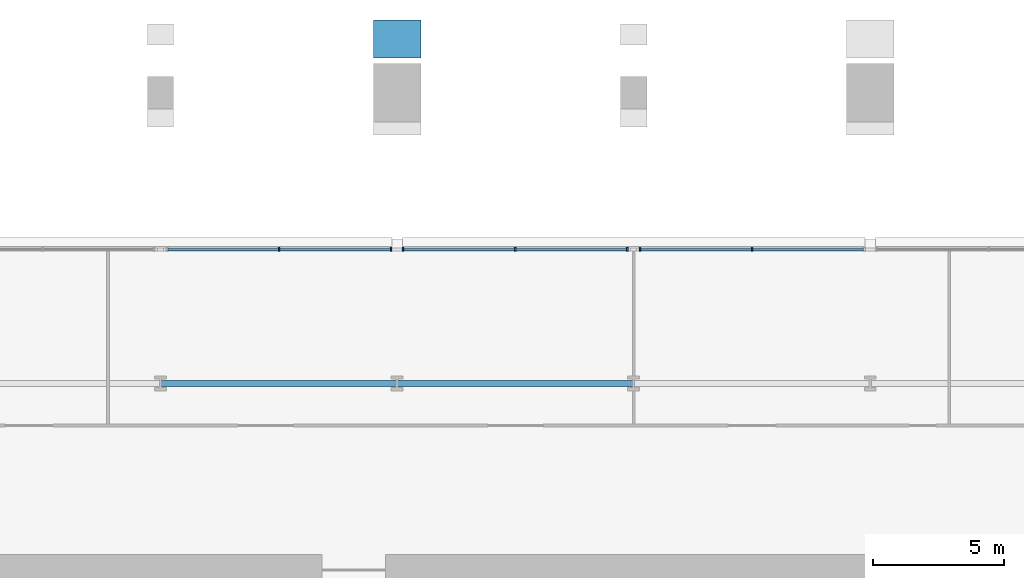
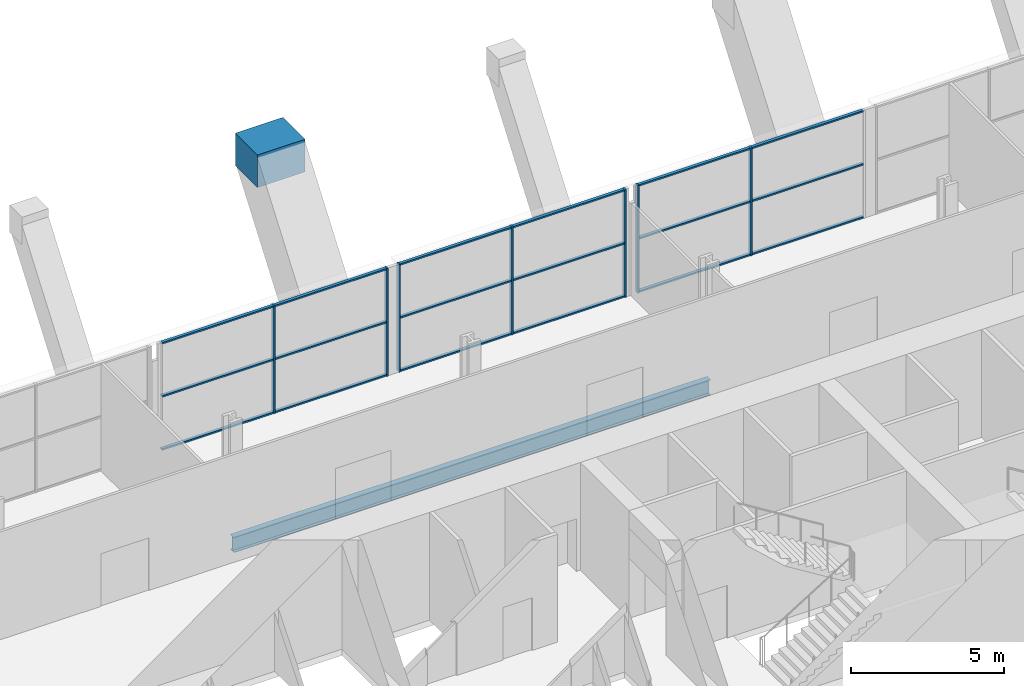
# One storey, part 9 of 24: 25 members, 2 beams, 3 elements without a shape of their own.
"""IFC4 building model written with IfcOpenShell, lengths in metres."""

from ifc_helpers import new_model, si_unit, direction, frame, origin, origin_2d, place, context, subcontext, project, spatial, rectangle, i_section, extrude, material, material_profile, profile_set, type_object, element, aggregate, save


model = new_model("IFC4")

# Units and contexts
model_context = context("Model", 3, precision=1e-05, world=origin(), true_north=direction((0.0, 1.0)))
body_context = subcontext(model_context, "Body", "Model", "MODEL_VIEW")
ifc_project = project(units=[si_unit("LENGTHUNIT", "METRE"), si_unit("AREAUNIT", "SQUARE_METRE"), si_unit("VOLUMEUNIT", "CUBIC_METRE"), si_unit("PLANEANGLEUNIT", "RADIAN"), si_unit("MASSUNIT", "GRAM", prefix="KILO")], contexts=[model_context])

# Site, building, storey
site_placement = place(None, origin())
site = spatial("IfcSite", under=ifc_project, at=site_placement, CompositionType="ELEMENT")
building_placement = place(site_placement, origin())
building = spatial("IfcBuilding", under=site, at=building_placement, Name="Zellij Exchange Tower", CompositionType="ELEMENT")
storey_placement = place(building_placement, frame((0.0, 0.0, 48.0)))
storey = spatial("IfcBuildingStorey", under=building, at=storey_placement, Name="L08", CompositionType="ELEMENT", Elevation=48.0)

# Curtain wall, members
ifc_material_1 = material(Name="Aluminium frame, clear insulating glass", Category="aluminium")
curtain_wall_type = type_object("IfcCurtainWallType", Name="ENV-CW1 Sky-garden glazing", PredefinedType="NOTDEFINED", material=ifc_material_1)
curtain_wall_1_placement = place(storey_placement, origin())
curtain_wall_1 = element("IfcCurtainWall", 1, at=curtain_wall_1_placement, inside=storey, type_object=curtain_wall_type, Name="cw.L08.14b.a", PredefinedType="NOTDEFINED")
ifc_material_2 = material(Name="Aluminium", Category="aluminium")
ifc_material_profile_1 = material_profile(ifc_material_2, rectangle(XDim=0.06005859375, YDim=0.159912109375, at=origin_2d()), Name="AL 60x160")
ifc_profile_set_1 = profile_set([ifc_material_profile_1], Name="Aluminium")
member_type_1 = type_object("IfcMemberType", Name="ENV-CW1M Mullion 60x160", PredefinedType="MULLION", material=ifc_profile_set_1)
member_1_placement = place(storey_placement, frame((4.50732421875, 9.60009765625, 0.0), z_axis=(0.0, 0.0, 1.0), x_axis=(-1.0, 0.0, 0.0)))
member_1 = element("IfcMember", 2, at=member_1_placement, type_object=member_type_1, Name="CW1 mullion 2", PredefinedType="MULLION", context=body_context, shape_type="SweptSolid", body=[
    extrude(rectangle(XDim=0.06005859375, YDim=0.159912109375, at=origin_2d()), origin(), (0.0, 0.0, 1.0), 4.300048828125),
])
member_2_placement = place(storey_placement, frame((0.24462890625, 9.60009765625, 0.0), z_axis=(0.0, 0.0, 1.0), x_axis=(-1.0, 0.0, 0.0)))
member_2 = element("IfcMember", 3, at=member_2_placement, type_object=member_type_1, Name="CW1 mullion 3", PredefinedType="MULLION", context=body_context, shape_type="SweptSolid", body=[
    extrude(rectangle(XDim=0.06005859375, YDim=0.159912109375, at=origin_2d()), origin(), (0.0, 0.0, 1.0), 4.300048828125),
])

curtain_wall_2_placement = place(storey_placement, origin())
curtain_wall_2 = element("IfcCurtainWall", 4, at=curtain_wall_2_placement, inside=storey, type_object=curtain_wall_type, Name="cw.L08.14b.b", PredefinedType="NOTDEFINED")
member_3_placement = place(storey_placement, frame((-0.24462890625, 9.60009765625, 0.0), z_axis=(0.0, 0.0, 1.0), x_axis=(-1.0, 0.0, 0.0)))
member_3 = element("IfcMember", 5, at=member_3_placement, type_object=member_type_1, Name="CW1 mullion 1", PredefinedType="MULLION", context=body_context, shape_type="SweptSolid", body=[
    extrude(rectangle(XDim=0.06005859375, YDim=0.159912109375, at=origin_2d()), origin(), (0.0, 0.0, 1.0), 4.300048828125),
])
member_4_placement = place(storey_placement, frame((-4.50732421875, 9.60009765625, 0.0), z_axis=(0.0, 0.0, 1.0), x_axis=(-1.0, 0.0, 0.0)))
member_4 = element("IfcMember", 6, at=member_4_placement, type_object=member_type_1, Name="CW1 mullion 2", PredefinedType="MULLION", context=body_context, shape_type="SweptSolid", body=[
    extrude(rectangle(XDim=0.06005859375, YDim=0.159912109375, at=origin_2d()), origin(), (0.0, 0.0, 1.0), 4.300048828125),
])
member_5_placement = place(storey_placement, frame((-8.77001953125, 9.60009765625, 0.0), z_axis=(0.0, 0.0, 1.0), x_axis=(-1.0, 0.0, 0.0)))
member_5 = element("IfcMember", 7, at=member_5_placement, type_object=member_type_1, Name="CW1 mullion 3", PredefinedType="MULLION", context=body_context, shape_type="SweptSolid", body=[
    extrude(rectangle(XDim=0.06005859375, YDim=0.159912109375, at=origin_2d()), origin(), (0.0, 0.0, 1.0), 4.300048828125),
])

curtain_wall_3_placement = place(storey_placement, origin())
curtain_wall_3 = element("IfcCurtainWall", 8, at=curtain_wall_3_placement, inside=storey, type_object=curtain_wall_type, Name="cw.L08.14c.a", PredefinedType="NOTDEFINED")
member_6_placement = place(storey_placement, frame((-9.22998046875, 9.60009765625, 0.0), z_axis=(0.0, 0.0, 1.0), x_axis=(-1.0, 0.0, 0.0)))
member_6 = element("IfcMember", 9, at=member_6_placement, type_object=member_type_1, Name="CW1 mullion 1", PredefinedType="MULLION", context=body_context, shape_type="SweptSolid", body=[
    extrude(rectangle(XDim=0.06005859375, YDim=0.159912109375, at=origin_2d()), origin(), (0.0, 0.0, 1.0), 4.300048828125),
])
member_7_placement = place(storey_placement, frame((-13.49267578125, 9.60009765625, 0.0), z_axis=(0.0, 0.0, 1.0), x_axis=(-1.0, 0.0, 0.0)))
member_7 = element("IfcMember", 10, at=member_7_placement, type_object=member_type_1, Name="CW1 mullion 2", PredefinedType="MULLION", context=body_context, shape_type="SweptSolid", body=[
    extrude(rectangle(XDim=0.06005859375, YDim=0.159912109375, at=origin_2d()), origin(), (0.0, 0.0, 1.0), 4.300048828125),
])

# Member
ifc_material_profile_2 = material_profile(ifc_material_2, rectangle(XDim=0.1201171875, YDim=0.06005859375, at=origin_2d()), Name="AL 120x60")
ifc_profile_set_2 = profile_set([ifc_material_profile_2], Name="Aluminium")
member_type_2 = type_object("IfcMemberType", Name="ENV-CW1T Transom 120x60", PredefinedType="USERDEFINED", material=ifc_profile_set_2)
member_8_placement = place(storey_placement, frame((8.739990234375, 9.60009765625, 0.030029296875), z_axis=(-1.0, 0.0, 0.0), x_axis=(0.0, -1.0, 0.0)))
member_8 = element("IfcMember", 11, at=member_8_placement, type_object=member_type_2, Name="CW1 transom 1.1", ObjectType="TRANSOM", PredefinedType="USERDEFINED", context=body_context, shape_type="SweptSolid", body=[
    extrude(rectangle(XDim=0.1201171875, YDim=0.06005859375, at=origin_2d()), origin(), (0.0, 0.0, 1.0), 4.20263671875),
])

member_9_placement = place(storey_placement, frame((8.739990234375, 9.60009765625, 2.14990234375), z_axis=(-1.0, 0.0, 0.0), x_axis=(0.0, -1.0, 0.0)))
member_9 = element("IfcMember", 12, at=member_9_placement, type_object=member_type_2, Name="CW1 transom 1.2", ObjectType="TRANSOM", PredefinedType="USERDEFINED", context=body_context, shape_type="SweptSolid", body=[
    extrude(rectangle(XDim=0.1201171875, YDim=0.06005859375, at=origin_2d()), origin(), (0.0, 0.0, 1.0), 4.20263671875),
])

member_10_placement = place(storey_placement, frame((8.739990234375, 9.60009765625, 4.27001953125), z_axis=(-1.0, 0.0, 0.0), x_axis=(0.0, -1.0, 0.0)))
member_10 = element("IfcMember", 13, at=member_10_placement, type_object=member_type_2, Name="CW1 transom 1.3", ObjectType="TRANSOM", PredefinedType="USERDEFINED", context=body_context, shape_type="SweptSolid", body=[
    extrude(rectangle(XDim=0.1201171875, YDim=0.06005859375, at=origin_2d()), origin(), (0.0, 0.0, 1.0), 4.20263671875),
])

member_11_placement = place(storey_placement, frame((4.477294921875, 9.60009765625, 0.030029296875), z_axis=(-1.0, 0.0, 0.0), x_axis=(0.0, -1.0, 0.0)))
member_11 = element("IfcMember", 14, at=member_11_placement, type_object=member_type_2, Name="CW1 transom 2.1", ObjectType="TRANSOM", PredefinedType="USERDEFINED", context=body_context, shape_type="SweptSolid", body=[
    extrude(rectangle(XDim=0.1201171875, YDim=0.06005859375, at=origin_2d()), origin(), (0.0, 0.0, 1.0), 4.20263671875),
])

member_12_placement = place(storey_placement, frame((4.477294921875, 9.60009765625, 2.14990234375), z_axis=(-1.0, 0.0, 0.0), x_axis=(0.0, -1.0, 0.0)))
member_12 = element("IfcMember", 15, at=member_12_placement, type_object=member_type_2, Name="CW1 transom 2.2", ObjectType="TRANSOM", PredefinedType="USERDEFINED", context=body_context, shape_type="SweptSolid", body=[
    extrude(rectangle(XDim=0.1201171875, YDim=0.06005859375, at=origin_2d()), origin(), (0.0, 0.0, 1.0), 4.20263671875),
])

member_13_placement = place(storey_placement, frame((4.477294921875, 9.60009765625, 4.27001953125), z_axis=(-1.0, 0.0, 0.0), x_axis=(0.0, -1.0, 0.0)))
member_13 = element("IfcMember", 16, at=member_13_placement, type_object=member_type_2, Name="CW1 transom 2.3", ObjectType="TRANSOM", PredefinedType="USERDEFINED", context=body_context, shape_type="SweptSolid", body=[
    extrude(rectangle(XDim=0.1201171875, YDim=0.06005859375, at=origin_2d()), origin(), (0.0, 0.0, 1.0), 4.20263671875),
])

aggregate(curtain_wall_1, [member_1, member_2, member_8, member_9, member_10, member_11, member_12, member_13])

member_14_placement = place(storey_placement, frame((-0.274658203125, 9.60009765625, 0.030029296875), z_axis=(-1.0, 0.0, 0.0), x_axis=(0.0, -1.0, 0.0)))
member_14 = element("IfcMember", 17, at=member_14_placement, type_object=member_type_2, Name="CW1 transom 1.1", ObjectType="TRANSOM", PredefinedType="USERDEFINED", context=body_context, shape_type="SweptSolid", body=[
    extrude(rectangle(XDim=0.1201171875, YDim=0.06005859375, at=origin_2d()), origin(), (0.0, 0.0, 1.0), 4.20263671875),
])

member_15_placement = place(storey_placement, frame((-0.274658203125, 9.60009765625, 2.14990234375), z_axis=(-1.0, 0.0, 0.0), x_axis=(0.0, -1.0, 0.0)))
member_15 = element("IfcMember", 18, at=member_15_placement, type_object=member_type_2, Name="CW1 transom 1.2", ObjectType="TRANSOM", PredefinedType="USERDEFINED", context=body_context, shape_type="SweptSolid", body=[
    extrude(rectangle(XDim=0.1201171875, YDim=0.06005859375, at=origin_2d()), origin(), (0.0, 0.0, 1.0), 4.20263671875),
])

member_16_placement = place(storey_placement, frame((-0.274658203125, 9.60009765625, 4.27001953125), z_axis=(-1.0, 0.0, 0.0), x_axis=(0.0, -1.0, 0.0)))
member_16 = element("IfcMember", 19, at=member_16_placement, type_object=member_type_2, Name="CW1 transom 1.3", ObjectType="TRANSOM", PredefinedType="USERDEFINED", context=body_context, shape_type="SweptSolid", body=[
    extrude(rectangle(XDim=0.1201171875, YDim=0.06005859375, at=origin_2d()), origin(), (0.0, 0.0, 1.0), 4.20263671875),
])

member_17_placement = place(storey_placement, frame((-4.537353515625, 9.60009765625, 0.030029296875), z_axis=(-1.0, 0.0, 0.0), x_axis=(0.0, -1.0, 0.0)))
member_17 = element("IfcMember", 20, at=member_17_placement, type_object=member_type_2, Name="CW1 transom 2.1", ObjectType="TRANSOM", PredefinedType="USERDEFINED", context=body_context, shape_type="SweptSolid", body=[
    extrude(rectangle(XDim=0.1201171875, YDim=0.06005859375, at=origin_2d()), origin(), (0.0, 0.0, 1.0), 4.20263671875),
])

member_18_placement = place(storey_placement, frame((-4.537353515625, 9.60009765625, 2.14990234375), z_axis=(-1.0, 0.0, 0.0), x_axis=(0.0, -1.0, 0.0)))
member_18 = element("IfcMember", 21, at=member_18_placement, type_object=member_type_2, Name="CW1 transom 2.2", ObjectType="TRANSOM", PredefinedType="USERDEFINED", context=body_context, shape_type="SweptSolid", body=[
    extrude(rectangle(XDim=0.1201171875, YDim=0.06005859375, at=origin_2d()), origin(), (0.0, 0.0, 1.0), 4.20263671875),
])

member_19_placement = place(storey_placement, frame((-4.537353515625, 9.60009765625, 4.27001953125), z_axis=(-1.0, 0.0, 0.0), x_axis=(0.0, -1.0, 0.0)))
member_19 = element("IfcMember", 22, at=member_19_placement, type_object=member_type_2, Name="CW1 transom 2.3", ObjectType="TRANSOM", PredefinedType="USERDEFINED", context=body_context, shape_type="SweptSolid", body=[
    extrude(rectangle(XDim=0.1201171875, YDim=0.06005859375, at=origin_2d()), origin(), (0.0, 0.0, 1.0), 4.20263671875),
])

aggregate(curtain_wall_2, [member_3, member_4, member_5, member_14, member_15, member_16, member_17, member_18, member_19])

member_20_placement = place(storey_placement, frame((-9.260009765625, 9.60009765625, 0.030029296875), z_axis=(-1.0, 0.0, 0.0), x_axis=(0.0, -1.0, 0.0)))
member_20 = element("IfcMember", 23, at=member_20_placement, type_object=member_type_2, Name="CW1 transom 1.1", ObjectType="TRANSOM", PredefinedType="USERDEFINED", context=body_context, shape_type="SweptSolid", body=[
    extrude(rectangle(XDim=0.1201171875, YDim=0.06005859375, at=origin_2d()), origin(), (0.0, 0.0, 1.0), 4.20263671875),
])

member_21_placement = place(storey_placement, frame((-9.260009765625, 9.60009765625, 2.14990234375), z_axis=(-1.0, 0.0, 0.0), x_axis=(0.0, -1.0, 0.0)))
member_21 = element("IfcMember", 24, at=member_21_placement, type_object=member_type_2, Name="CW1 transom 1.2", ObjectType="TRANSOM", PredefinedType="USERDEFINED", context=body_context, shape_type="SweptSolid", body=[
    extrude(rectangle(XDim=0.1201171875, YDim=0.06005859375, at=origin_2d()), origin(), (0.0, 0.0, 1.0), 4.20263671875),
])

member_22_placement = place(storey_placement, frame((-9.260009765625, 9.60009765625, 4.27001953125), z_axis=(-1.0, 0.0, 0.0), x_axis=(0.0, -1.0, 0.0)))
member_22 = element("IfcMember", 25, at=member_22_placement, type_object=member_type_2, Name="CW1 transom 1.3", ObjectType="TRANSOM", PredefinedType="USERDEFINED", context=body_context, shape_type="SweptSolid", body=[
    extrude(rectangle(XDim=0.1201171875, YDim=0.06005859375, at=origin_2d()), origin(), (0.0, 0.0, 1.0), 4.20263671875),
])

member_23_placement = place(storey_placement, frame((-13.522705078125, 9.60009765625, 0.030029296875), z_axis=(-1.0, 0.0, 0.0), x_axis=(0.0, -1.0, 0.0)))
member_23 = element("IfcMember", 26, at=member_23_placement, type_object=member_type_2, Name="CW1 transom 2.1", ObjectType="TRANSOM", PredefinedType="USERDEFINED", context=body_context, shape_type="SweptSolid", body=[
    extrude(rectangle(XDim=0.1201171875, YDim=0.06005859375, at=origin_2d()), origin(), (0.0, 0.0, 1.0), 4.20263671875),
])

member_24_placement = place(storey_placement, frame((-13.522705078125, 9.60009765625, 2.14990234375), z_axis=(-1.0, 0.0, 0.0), x_axis=(0.0, -1.0, 0.0)))
member_24 = element("IfcMember", 27, at=member_24_placement, type_object=member_type_2, Name="CW1 transom 2.2", ObjectType="TRANSOM", PredefinedType="USERDEFINED", context=body_context, shape_type="SweptSolid", body=[
    extrude(rectangle(XDim=0.1201171875, YDim=0.06005859375, at=origin_2d()), origin(), (0.0, 0.0, 1.0), 4.20263671875),
])

member_25_placement = place(storey_placement, frame((-13.522705078125, 9.60009765625, 4.27001953125), z_axis=(-1.0, 0.0, 0.0), x_axis=(0.0, -1.0, 0.0)))
member_25 = element("IfcMember", 28, at=member_25_placement, type_object=member_type_2, Name="CW1 transom 2.3", ObjectType="TRANSOM", PredefinedType="USERDEFINED", context=body_context, shape_type="SweptSolid", body=[
    extrude(rectangle(XDim=0.1201171875, YDim=0.06005859375, at=origin_2d()), origin(), (0.0, 0.0, 1.0), 4.20263671875),
])

aggregate(curtain_wall_3, [member_6, member_7, member_20, member_21, member_22, member_23, member_24, member_25])

# Beams
ifc_material_3 = material(Name="Structural steel ASTM A992 Gr 50", Category="steel")
ifc_material_profile_3 = material_profile(ifc_material_3, i_section(OverallWidth=0.22900390625, OverallDepth=0.612060546875, WebThickness=0.011962890625, FlangeThickness=0.01953125, at=origin_2d()), Name="W24x84")
ifc_profile_set_3 = profile_set([ifc_material_profile_3], Name="Structural steel ASTM A992 Gr 50")
beam_type_1 = type_object("IfcBeamType", Name="STR-GIRDER W24x84", PredefinedType="BEAM", material=ifc_profile_set_3)
beam_1_placement = place(storey_placement, frame((-18.0, 4.5, -0.55615234375), z_axis=(1.0, 0.0, 0.0), x_axis=(0.0, 1.0, 0.0)))
element("IfcBeam", 29, at=beam_1_placement, inside=storey, type_object=beam_type_1, Name="G4", PredefinedType="BEAM", context=body_context, shape_type="SweptSolid", body=[
    extrude(i_section(OverallWidth=0.22900390625, OverallDepth=0.612060546875, WebThickness=0.011962890625, FlangeThickness=0.01953125, at=origin_2d()), origin(), (0.0, 0.0, 1.0), 18.0),
])
ifc_material_4 = material(Name="Concrete C70/85", Category="concrete")
ifc_material_profile_4 = material_profile(ifc_material_4, rectangle(XDim=1.800048828125, YDim=1.300048828125, at=origin_2d()), Name="STR-KNUCKLE BLOCK RC1800x1300 C70/85")
ifc_profile_set_4 = profile_set([ifc_material_profile_4], Name="Concrete C70/85")
beam_type_2 = type_object("IfcBeamType", Name="STR-KNUCKLE BLOCK RC1800x1300 C70/85", PredefinedType="BEAM", material=ifc_profile_set_4)
beam_2_placement = place(storey_placement, frame((-9.0, 16.8798828125, 3.949951171875), z_axis=(0.0, 1.0, 0.0), x_axis=(-1.0, 0.0, 0.0)))
element("IfcBeam", 30, at=beam_2_placement, inside=storey, type_object=beam_type_2, Name="KB9", PredefinedType="BEAM", context=body_context, shape_type="SweptSolid", body=[
    extrude(rectangle(XDim=1.800048828125, YDim=1.300048828125, at=origin_2d()), origin(), (0.0, 0.0, 1.0), 1.446533203125),
])

save(model, "model.ifc")
